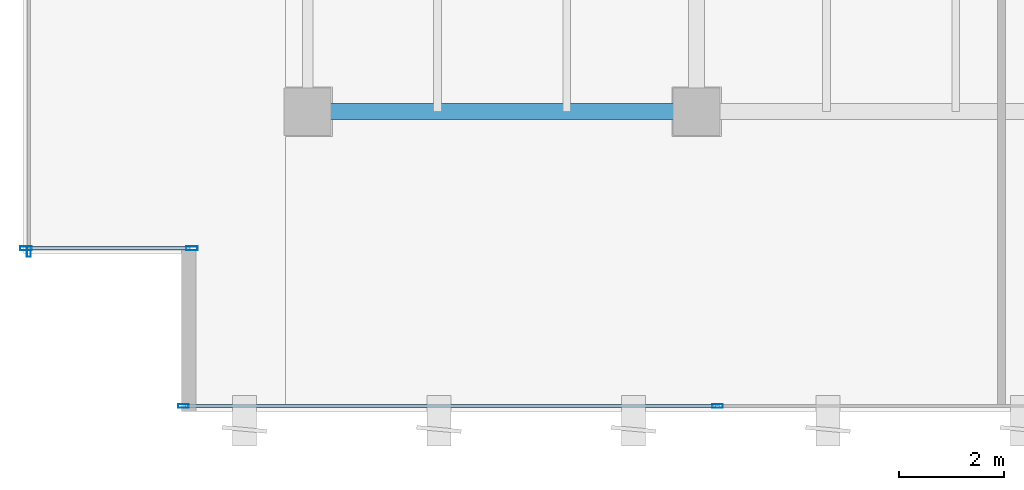
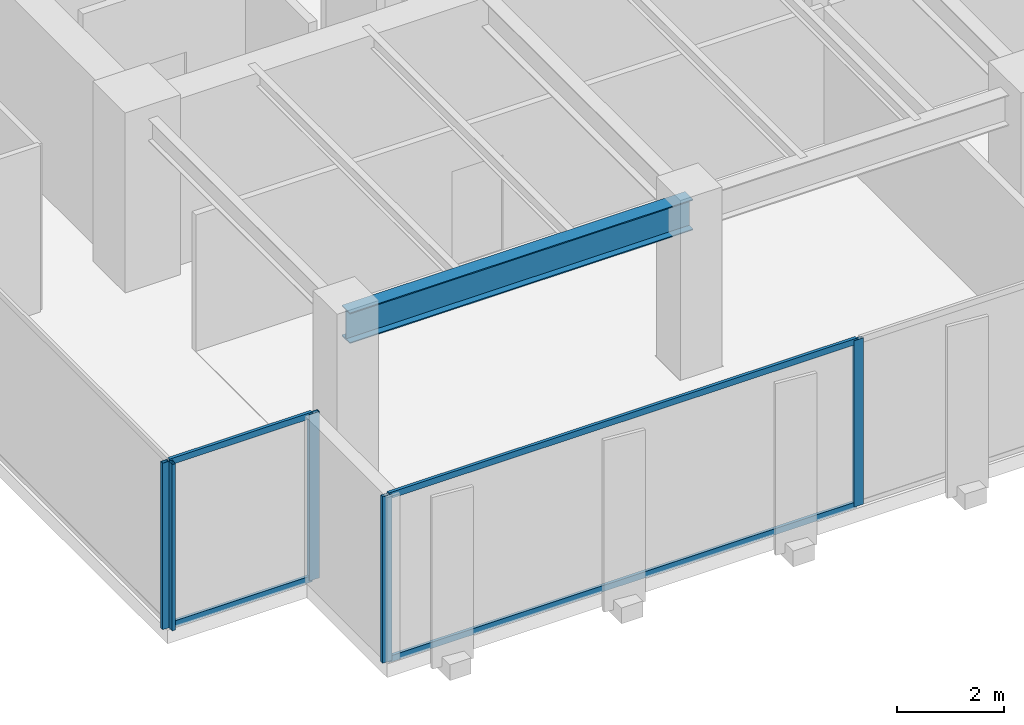
# One storey, part 2 of 34: 9 members, 1 beam, 3 elements without a shape of their own.
"""IFC4 building model written with IfcOpenShell, lengths in metres."""

from ifc_helpers import new_model, si_unit, direction, frame, origin, origin_2d, place, context, subcontext, project, spatial, hollow_rectangle, i_section, extrude, source, transform, mapped, material, layer, layer_set, material_profile, profile_set, type_object, type_shapes, element, aggregate, save


model = new_model("IFC4")

# Units and contexts
model_context = context("Model", 3, precision=1e-05, world=origin(), true_north=direction((0.0, 1.0)))
body_context = subcontext(model_context, "Body", "Model", "MODEL_VIEW")
ifc_project = project(units=[si_unit("LENGTHUNIT", "METRE"), si_unit("AREAUNIT", "SQUARE_METRE"), si_unit("VOLUMEUNIT", "CUBIC_METRE"), si_unit("PLANEANGLEUNIT", "RADIAN"), si_unit("MASSUNIT", "GRAM", prefix="KILO")], contexts=[model_context])

# Site, building, storey
site_placement = place(None, origin())
site = spatial("IfcSite", under=ifc_project, at=site_placement, CompositionType="ELEMENT")
building_placement = place(site_placement, origin())
building = spatial("IfcBuilding", under=site, at=building_placement, Name="Haelvirn Gate Laboratories", CompositionType="ELEMENT")
storey_placement = place(building_placement, frame((0.0, 0.0, 109.199951171875)))
storey = spatial("IfcBuildingStorey", under=building, at=storey_placement, Name="L26", CompositionType="ELEMENT", Elevation=109.199951171875)

# Beam
ifc_material_1 = material(Name="Steel SM355", Category="steel")
ifc_material_profile_1 = material_profile(ifc_material_1, i_section(OverallWidth=0.300048828125, OverallDepth=0.699951171875, WebThickness=0.012939453125, FlangeThickness=0.02392578125, at=origin_2d()), Name="H-700x300x13x24")
ifc_profile_set_1 = profile_set([ifc_material_profile_1], Name="Steel SM355")
beam_type = type_object("IfcBeamType", Name="BM-G-700", PredefinedType="BEAM", material=ifc_profile_set_1)
shared_shape_1 = source(origin(), body_context, "Body", "SweptSolid", [
    extrude(i_section(OverallWidth=0.300048828125, OverallDepth=0.699951171875, WebThickness=0.012939453125, FlangeThickness=0.02392578125, at=origin_2d()), origin(), (0.0, 0.0, 1.0), 7.400146484375),
])
type_shapes(beam_type, [shared_shape_1])
beam_placement = place(storey_placement, frame((7.39990234375, 7.0, 3.43994140625), z_axis=(1.0, 0.0, 0.0), x_axis=(0.0, 1.0, 0.0)))
element("IfcBeam", 1, at=beam_placement, inside=storey, type_object=beam_type, Name="L26 Primary Girder Y7.0 (7.4-14.8)", PredefinedType="BEAM", context=body_context, shape_type="MappedRepresentation", body=[
    mapped(shared_shape_1, transform((0.0, 0.0, 0.0), scale=1.0)),
])

# Curtain wall, members
ifc_material_2 = material(Name="Anodised bronze unitised aluminium & triple low-E glass", Category="aluminium")
ifc_layer_1 = layer(ifc_material_2, 0.179931640625, Name="CW-SYS-3")
ifc_layer_set_1 = layer_set([ifc_layer_1], Name="Anodised bronze unitised aluminium & triple low-E glass")
curtain_wall_type_1 = type_object("IfcCurtainWallType", Name="CW-SYS-3", PredefinedType="NOTDEFINED", material=ifc_layer_set_1)
curtain_wall_1_placement = place(storey_placement, origin())
curtain_wall_1 = element("IfcCurtainWall", 2, at=curtain_wall_1_placement, inside=storey, type_object=curtain_wall_type_1, Name="L26 Unitised Curtain Wall CW-L26-P0-E00-1", PredefinedType="NOTDEFINED")
ifc_material_3 = material(Name="Extruded aluminium 6063-T6 (anodised bronze)", Category="aluminium")
ifc_material_profile_2 = material_profile(ifc_material_3, hollow_rectangle(XDim=0.06494140625, YDim=0.139892578125, WallThickness=0.00390625, at=origin_2d()), Name="CWT-140x65x4")
ifc_profile_set_2 = profile_set([ifc_material_profile_2], Name="Extruded aluminium 6063-T6 (anodised bronze)")
member_type_1 = type_object("IfcMemberType", Name="CWT-T140", PredefinedType="USERDEFINED", material=ifc_profile_set_2)
shared_shape_2 = source(origin(), body_context, "Body", "SweptSolid", [
    extrude(hollow_rectangle(XDim=0.06494140625, YDim=0.139892578125, WallThickness=0.00390625, at=origin_2d()), origin(), (0.0, 0.0, 1.0), 10.087646484375),
])
member_1_placement = place(storey_placement, frame((5.074951171875, 1.39990234375, 0.032470703125), z_axis=(1.0, 0.0, 0.0), x_axis=(0.0, 1.0, 0.0)))
member_1 = element("IfcMember", 3, at=member_1_placement, type_object=member_type_1, Name="CW3 transom 1.1", ObjectType="TRANSOM", PredefinedType="USERDEFINED", context=body_context, shape_type="MappedRepresentation", body=[
    mapped(shared_shape_2, transform((0.0, 0.0, 0.0), scale=1.0)),
])
member_2_placement = place(storey_placement, frame((5.074951171875, 1.39990234375, 3.757568359375), z_axis=(1.0, 0.0, 0.0), x_axis=(0.0, 1.0, 0.0)))
member_2 = element("IfcMember", 4, at=member_2_placement, type_object=member_type_1, Name="CW3 transom 1.2", ObjectType="TRANSOM", PredefinedType="USERDEFINED", context=body_context, shape_type="MappedRepresentation", body=[
    mapped(shared_shape_2, transform((0.0, 0.0, 0.0), scale=1.0)),
])

ifc_layer_2 = layer(ifc_material_2, 0.181884765625, Name="CW-SYS-5")
ifc_layer_set_2 = layer_set([ifc_layer_2], Name="Anodised bronze unitised aluminium & triple low-E glass")
curtain_wall_type_2 = type_object("IfcCurtainWallType", Name="CW-SYS-5", PredefinedType="NOTDEFINED", material=ifc_layer_set_2)
curtain_wall_2_placement = place(storey_placement, origin())
curtain_wall_2 = element("IfcCurtainWall", 5, at=curtain_wall_2_placement, inside=storey, type_object=curtain_wall_type_2, Name="L26 Unitised Curtain Wall CW-L26-P0-E18-1", PredefinedType="NOTDEFINED")
shared_shape_3 = source(origin(), body_context, "Body", "SweptSolid", [
    extrude(hollow_rectangle(XDim=0.06494140625, YDim=0.139892578125, WallThickness=0.00390625, at=origin_2d()), origin(), (0.0, 0.0, 1.0), 3.079833984375),
])
type_shapes(member_type_1, [shared_shape_2, shared_shape_3])
member_3_placement = place(storey_placement, frame((2.080078125, 4.39990234375, 0.032470703125), z_axis=(1.0, 0.0, 0.0), x_axis=(0.0, 1.0, 0.0)))
member_3 = element("IfcMember", 6, at=member_3_placement, type_object=member_type_1, Name="CW5 transom 1.1", ObjectType="TRANSOM", PredefinedType="USERDEFINED", context=body_context, shape_type="MappedRepresentation", body=[
    mapped(shared_shape_3, transform((0.0, 0.0, 0.0), scale=1.0)),
])
member_4_placement = place(storey_placement, frame((2.080078125, 4.39990234375, 3.757568359375), z_axis=(1.0, 0.0, 0.0), x_axis=(0.0, 1.0, 0.0)))
member_4 = element("IfcMember", 7, at=member_4_placement, type_object=member_type_1, Name="CW5 transom 1.2", ObjectType="TRANSOM", PredefinedType="USERDEFINED", context=body_context, shape_type="MappedRepresentation", body=[
    mapped(shared_shape_3, transform((0.0, 0.0, 0.0), scale=1.0)),
])

# Member
ifc_material_profile_3 = material_profile(ifc_material_3, hollow_rectangle(XDim=0.074951171875, YDim=0.199951171875, WallThickness=0.0048828125, at=origin_2d()), Name="CWM-200x75x5")
ifc_profile_set_3 = profile_set([ifc_material_profile_3], Name="Extruded aluminium 6063-T6 (anodised bronze)")
member_type_2 = type_object("IfcMemberType", Name="CWM-T200", PredefinedType="MULLION", material=ifc_profile_set_3)
shared_shape_4 = source(origin(), body_context, "Body", "SweptSolid", [
    extrude(hollow_rectangle(XDim=0.074951171875, YDim=0.199951171875, WallThickness=0.0048828125, at=origin_2d()), origin(), (0.0, 0.0, 1.0), 3.7900390625),
])
type_shapes(member_type_2, [shared_shape_4])
member_5_placement = place(storey_placement, frame((5.03759765625, 1.39990234375, 0.0), z_axis=(0.0, 0.0, 1.0), x_axis=(0.0, 1.0, 0.0)))
member_5 = element("IfcMember", 8, at=member_5_placement, type_object=member_type_2, Name="CW3 mullion 1", PredefinedType="MULLION", context=body_context, shape_type="MappedRepresentation", body=[
    mapped(shared_shape_4, transform((0.0, 0.0, 0.0), scale=1.0)),
])

member_6_placement = place(storey_placement, frame((15.199951171875, 1.39990234375, 0.0), z_axis=(0.0, 0.0, 1.0), x_axis=(0.0, 1.0, 0.0)))
member_6 = element("IfcMember", 9, at=member_6_placement, type_object=member_type_2, Name="CW3 mullion 2", PredefinedType="MULLION", context=body_context, shape_type="MappedRepresentation", body=[
    mapped(shared_shape_4, transform((0.0, 0.0, 0.0), scale=1.0)),
])

aggregate(curtain_wall_1, [member_5, member_6, member_1, member_2])

# Curtain wall, member
curtain_wall_3_placement = place(storey_placement, origin())
curtain_wall_3 = element("IfcCurtainWall", 10, at=curtain_wall_3_placement, inside=storey, type_object=curtain_wall_type_1, Name="L26 Unitised Curtain Wall CW-L26-P0-E17", PredefinedType="NOTDEFINED")
member_7_placement = place(storey_placement, frame((2.10009765625, 4.33740234375, 0.0), z_axis=(0.0, 0.0, 1.0), x_axis=(1.0, 0.0, 0.0)))
member_7 = element("IfcMember", 11, at=member_7_placement, type_object=member_type_2, Name="CW3 mullion 4", PredefinedType="MULLION", context=body_context, shape_type="MappedRepresentation", body=[
    mapped(shared_shape_4, transform((0.0, 0.0, 0.0), scale=1.0)),
])
aggregate(curtain_wall_3, [member_7])

# Member
ifc_material_profile_4 = material_profile(ifc_material_3, hollow_rectangle(XDim=0.080078125, YDim=0.219970703125, WallThickness=0.006103515625, at=origin_2d()), Name="CWM-220x80x6")
ifc_profile_set_4 = profile_set([ifc_material_profile_4], Name="Extruded aluminium 6063-T6 (anodised bronze)")
member_type_3 = type_object("IfcMemberType", Name="CWM-T220", PredefinedType="MULLION", material=ifc_profile_set_4)
shared_shape_5 = source(origin(), body_context, "Body", "SweptSolid", [
    extrude(hollow_rectangle(XDim=0.080078125, YDim=0.219970703125, WallThickness=0.006103515625, at=origin_2d()), origin(), (0.0, 0.0, 1.0), 3.7900390625),
])
type_shapes(member_type_3, [shared_shape_5])
member_8_placement = place(storey_placement, frame((2.0400390625, 4.39990234375, 0.0), z_axis=(0.0, 0.0, 1.0), x_axis=(0.0, 1.0, 0.0)))
member_8 = element("IfcMember", 12, at=member_8_placement, type_object=member_type_3, Name="CW5 mullion 1", PredefinedType="MULLION", context=body_context, shape_type="MappedRepresentation", body=[
    mapped(shared_shape_5, transform((0.0, 0.0, 0.0), scale=1.0)),
])

member_9_placement = place(storey_placement, frame((5.199951171875, 4.39990234375, 0.0), z_axis=(0.0, 0.0, 1.0), x_axis=(0.0, 1.0, 0.0)))
member_9 = element("IfcMember", 13, at=member_9_placement, type_object=member_type_3, Name="CW5 mullion 2", PredefinedType="MULLION", context=body_context, shape_type="MappedRepresentation", body=[
    mapped(shared_shape_5, transform((0.0, 0.0, 0.0), scale=1.0)),
])

aggregate(curtain_wall_2, [member_8, member_9, member_3, member_4])

save(model, "model.ifc")
